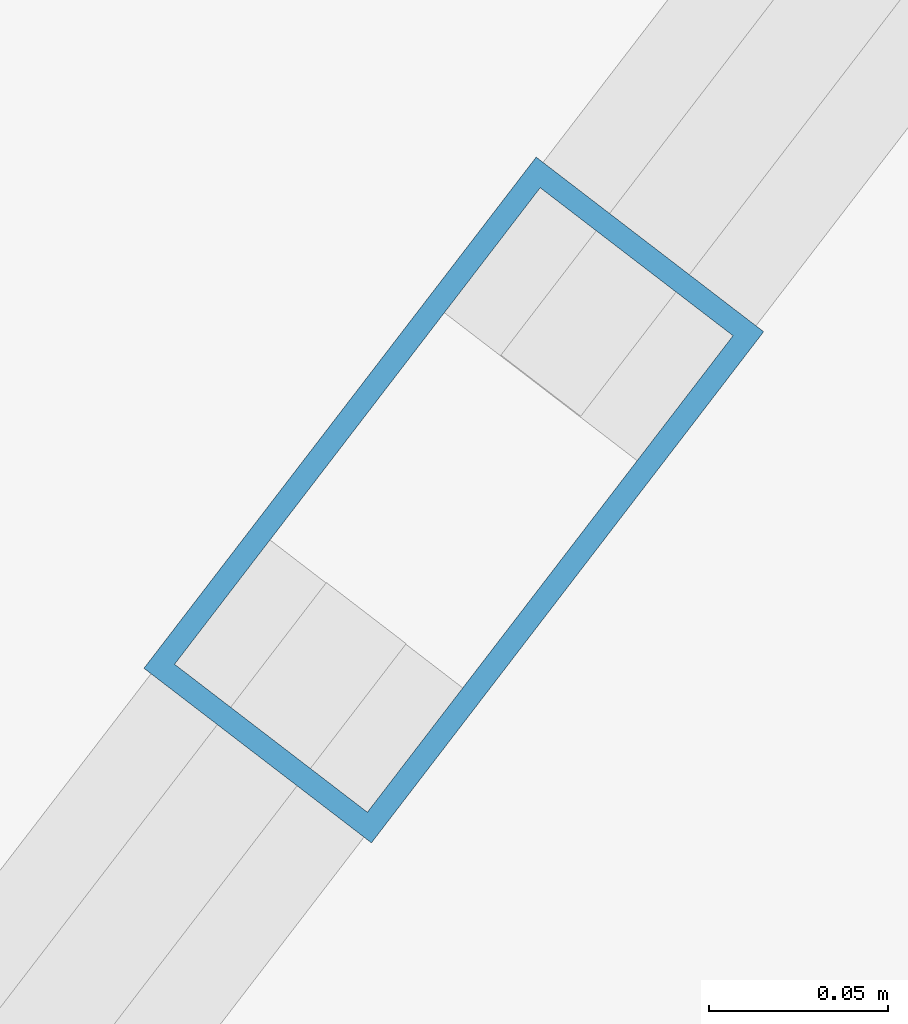
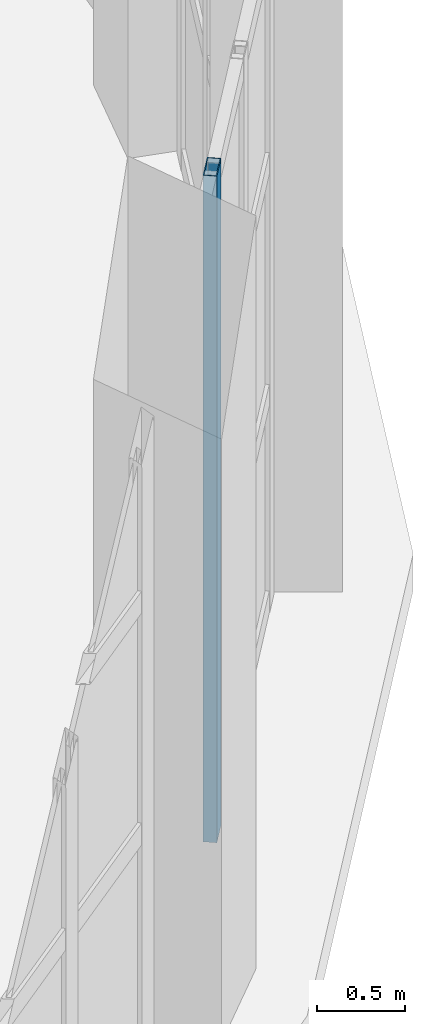
# One storey, part 28 of 59: 1 member, 1 element without a shape of its own.
"""IFC4 building model written with IfcOpenShell, lengths in metres."""

from ifc_helpers import new_model, si_unit, direction, frame, origin, origin_2d, place, context, subcontext, project, spatial, hollow_rectangle, extrude, material, layer, layer_set, material_profile, profile_set, type_object, element, aggregate, save


model = new_model("IFC4")

# Units and contexts
model_context = context("Model", 3, precision=1e-05, world=origin(), true_north=direction((0.0, 1.0)))
body_context = subcontext(model_context, "Body", "Model", "MODEL_VIEW")
ifc_project = project(units=[si_unit("LENGTHUNIT", "METRE"), si_unit("AREAUNIT", "SQUARE_METRE"), si_unit("VOLUMEUNIT", "CUBIC_METRE"), si_unit("PLANEANGLEUNIT", "RADIAN"), si_unit("MASSUNIT", "GRAM", prefix="KILO")], contexts=[model_context])

# Site, building, storey
site_placement = place(None, origin())
site = spatial("IfcSite", under=ifc_project, at=site_placement, CompositionType="ELEMENT")
building_placement = place(site_placement, origin())
building = spatial("IfcBuilding", under=site, at=building_placement, Name="Kandorven Conservatory and Botanical Research Centre", CompositionType="ELEMENT")
storey_placement = place(building_placement, frame((0.0, 0.0, 4.800048828125)))
storey = spatial("IfcBuildingStorey", under=building, at=storey_placement, Name="L01", CompositionType="ELEMENT", Elevation=4.800048828125)

# Curtain wall, member
ifc_material_1 = material(Name="Bronze anodised thermally broken aluminium", Category="aluminium")
ifc_layer = layer(ifc_material_1, 0.179931640625)
ifc_layer_set = layer_set([ifc_layer], Name="Bronze anodised thermally broken aluminium")
curtain_wall_type = type_object("IfcCurtainWallType", Name="CW_Clerestory", PredefinedType="USERDEFINED", material=ifc_layer_set)
curtain_wall_placement = place(storey_placement, origin())
curtain_wall = element("IfcCurtainWall", 1, at=curtain_wall_placement, inside=storey, type_object=curtain_wall_type, Name="Conservatory drum clerestory glazing CW-DRUM-L01-22", ObjectType="CLERESTORY GLAZING", PredefinedType="USERDEFINED")
ifc_material_2 = material(Name="Bronze anodised thermally broken aluminium", Category="aluminium")
ifc_material_profile = material_profile(ifc_material_2, hollow_rectangle(XDim=0.080078125, YDim=0.179931640625, WallThickness=0.006103515625, at=origin_2d()))
ifc_profile_set = profile_set([ifc_material_profile], Name="Bronze anodised thermally broken aluminium")
member_type = type_object("IfcMemberType", Name="CW_Mullion", PredefinedType="MULLION", material=ifc_profile_set)
member_placement = place(storey_placement, frame((100.479736328125, 37.183349609375, 0.0), z_axis=(0.0, 0.0, 1.0), x_axis=(-0.793347276456, 0.608769331471, 0.0)))
member = element("IfcMember", 2, at=member_placement, type_object=member_type, Name="CW-02 mullion 2", PredefinedType="MULLION", context=body_context, shape_type="SweptSolid", body=[
    extrude(hollow_rectangle(XDim=0.080078125, YDim=0.179931640625, WallThickness=0.006103515625, at=origin_2d()), origin(), (0.0, 0.0, 1.0), 4.599853515625),
])
aggregate(curtain_wall, [member])

save(model, "model.ifc")
